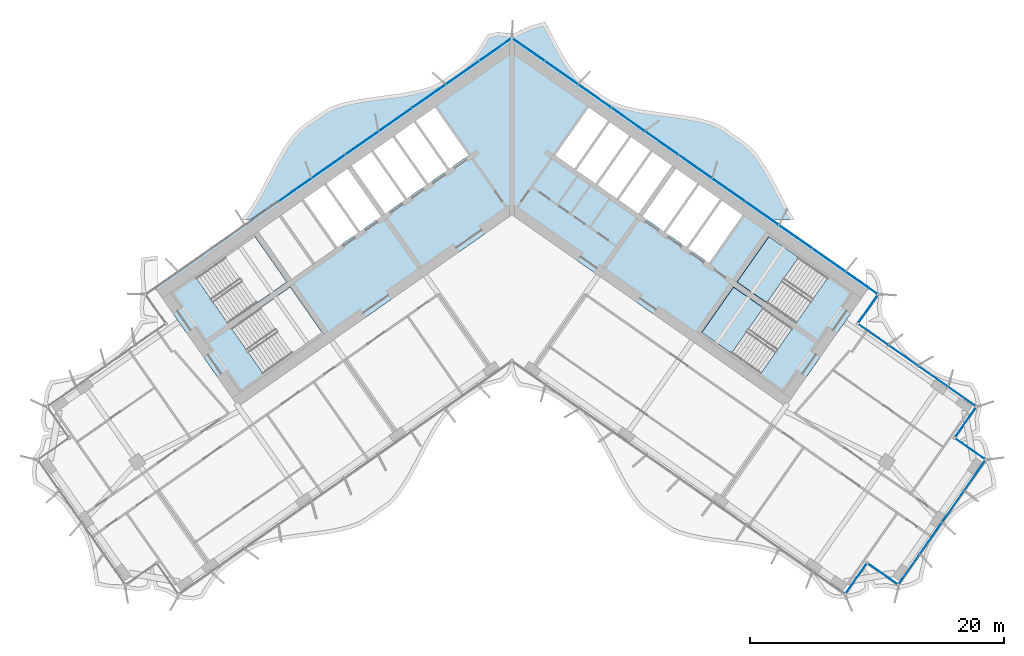
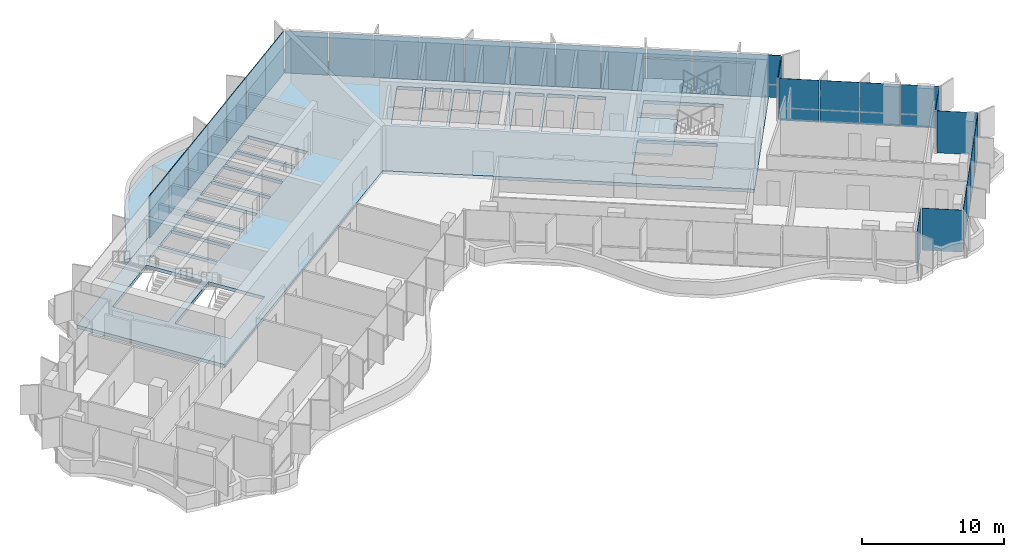
# One storey, part 13 of 23: 31 plates, 4 slabs, 4 elements without a shape of their own.
"""IFC4 building model written with IfcOpenShell, lengths in metres."""

from ifc_helpers import new_model, si_unit, direction, frame, origin, origin_2d, place, context, subcontext, project, spatial, polyline, rectangle, outline, extrude, material, layer, layer_set, type_object, element, aggregate, save


model = new_model("IFC4")

# Units and contexts
model_context = context("Model", 3, precision=1e-05, world=origin(), true_north=direction((0.0, 1.0)))
body_context = subcontext(model_context, "Body", "Model", "MODEL_VIEW")
ifc_project = project(units=[si_unit("LENGTHUNIT", "METRE"), si_unit("AREAUNIT", "SQUARE_METRE"), si_unit("VOLUMEUNIT", "CUBIC_METRE"), si_unit("PLANEANGLEUNIT", "RADIAN"), si_unit("MASSUNIT", "GRAM", prefix="KILO")], contexts=[model_context])

# Site, building, storey
site_placement = place(None, origin())
site = spatial("IfcSite", under=ifc_project, at=site_placement, CompositionType="ELEMENT")
building_placement = place(site_placement, origin())
building = spatial("IfcBuilding", under=site, at=building_placement, Name="Tel Ilan Convention Tower", CompositionType="ELEMENT")
storey_placement = place(building_placement, frame((0.0, 0.0, 182.699951171875)))
storey = spatial("IfcBuildingStorey", under=building, at=storey_placement, Name="L42", CompositionType="ELEMENT", Elevation=182.699951171875)

# Curtain wall, plates
ifc_material_1 = material(Name="Aluminium, bronze anodised", Category="aluminium")
curtain_wall_type_1 = type_object("IfcCurtainWallType", Name="CW4 STICK CURTAIN WALL, OFFICE TINTED GLASS", PredefinedType="NOTDEFINED", material=ifc_material_1)
curtain_wall_1_placement = place(storey_placement, origin())
curtain_wall_1 = element("IfcCurtainWall", 1, at=curtain_wall_1_placement, inside=storey, type_object=curtain_wall_type_1, Name="Curtain wall CW4-32.02", PredefinedType="NOTDEFINED")
ifc_material_2 = material(Name="Glass, bronze tinted, two-ply", Category="glass")
ifc_layer_1 = layer(ifc_material_2, 0.028076171875)
ifc_layer_set_1 = layer_set([ifc_layer_1], Name="CW GLASS PANEL 28")
plate_type_1 = type_object("IfcPlateType", Name="CW GLASS PANEL 28", PredefinedType="CURTAIN_PANEL", material=ifc_layer_set_1)
plate_1_placement = place(storey_placement, frame((27.065673828125, -29.863525390625, 0.0), z_axis=(0.0, 0.0, 1.0), x_axis=(0.573576436351, 0.819152044289, 0.0)))
plate_1 = element("IfcPlate", 2, at=plate_1_placement, type_object=plate_type_1, Name="Glass panel", PredefinedType="CURTAIN_PANEL", context=body_context, shape_type="SweptSolid", body=[
    extrude(rectangle(XDim=2.875, YDim=0.028076171875, at=origin_2d()), origin(), (0.0, 0.0, 1.0), 3.6201171875),
])
plate_2_placement = place(storey_placement, frame((29.20849609375, -29.48583984375, 0.0), z_axis=(0.0, 0.0, 1.0), x_axis=(0.819152044289, -0.573576436351, 0.0)))
plate_2 = element("IfcPlate", 3, at=plate_2_placement, type_object=plate_type_1, Name="Glass panel", PredefinedType="CURTAIN_PANEL", context=body_context, shape_type="SweptSolid", body=[
    extrude(rectangle(XDim=2.875, YDim=0.028076171875, at=origin_2d()), origin(), (0.0, 0.0, 1.0), 3.6201171875),
])
plate_3_placement = place(storey_placement, frame((31.25, -29.1181640625, 0.0), z_axis=(0.0, 0.0, 1.0), x_axis=(0.573576436351, 0.819152044289, 0.0)))
plate_3 = element("IfcPlate", 4, at=plate_3_placement, type_object=plate_type_1, Name="Glass panel", PredefinedType="CURTAIN_PANEL", context=body_context, shape_type="SweptSolid", body=[
    extrude(rectangle(XDim=2.89599609375, YDim=0.028076171875, at=origin_2d()), origin(), (0.0, 0.0, 1.0), 3.6201171875),
])
plate_4_placement = place(storey_placement, frame((32.972412109375, -26.658203125, 0.0), z_axis=(0.0, 0.0, 1.0), x_axis=(0.573576436351, 0.819152044289, 0.0)))
plate_4 = element("IfcPlate", 5, at=plate_4_placement, type_object=plate_type_1, Name="Glass panel", PredefinedType="CURTAIN_PANEL", context=body_context, shape_type="SweptSolid", body=[
    extrude(rectangle(XDim=2.989990234375, YDim=0.028076171875, at=origin_2d()), origin(), (0.0, 0.0, 1.0), 3.6201171875),
])
plate_5_placement = place(storey_placement, frame((34.721923828125, -24.159912109375, 0.0), z_axis=(0.0, 0.0, 1.0), x_axis=(0.573576436351, 0.819152044289, 0.0)))
plate_5 = element("IfcPlate", 6, at=plate_5_placement, type_object=plate_type_1, Name="Glass panel", PredefinedType="CURTAIN_PANEL", context=body_context, shape_type="SweptSolid", body=[
    extrude(rectangle(XDim=2.989990234375, YDim=0.028076171875, at=origin_2d()), origin(), (0.0, 0.0, 1.0), 3.6201171875),
])
plate_6_placement = place(storey_placement, frame((36.4443359375, -21.699951171875, 0.0), z_axis=(0.0, 0.0, 1.0), x_axis=(0.573576436351, 0.819152044289, 0.0)))
plate_6 = element("IfcPlate", 7, at=plate_6_placement, type_object=plate_type_1, Name="Glass panel", PredefinedType="CURTAIN_PANEL", context=body_context, shape_type="SweptSolid", body=[
    extrude(rectangle(XDim=2.89599609375, YDim=0.028076171875, at=origin_2d()), origin(), (0.0, 0.0, 1.0), 3.6201171875),
])
plate_7_placement = place(storey_placement, frame((36.09130859375, -19.656005859375, 0.0), z_axis=(0.0, 0.0, 1.0), x_axis=(-0.819152044289, 0.573576436351, 0.0)))
plate_7 = element("IfcPlate", 8, at=plate_7_placement, type_object=plate_type_1, Name="Glass panel", PredefinedType="CURTAIN_PANEL", context=body_context, shape_type="SweptSolid", body=[
    extrude(rectangle(XDim=2.875, YDim=0.028076171875, at=origin_2d()), origin(), (0.0, 0.0, 1.0), 3.6201171875),
])
plate_8_placement = place(storey_placement, frame((35.713623046875, -17.51318359375, 0.0), z_axis=(0.0, 0.0, 1.0), x_axis=(0.573576436351, 0.819152044289, 0.0)))
plate_8 = element("IfcPlate", 9, at=plate_8_placement, type_object=plate_type_1, Name="Glass panel", PredefinedType="CURTAIN_PANEL", context=body_context, shape_type="SweptSolid", body=[
    extrude(rectangle(XDim=2.875, YDim=0.028076171875, at=origin_2d()), origin(), (0.0, 0.0, 1.0), 3.6201171875),
])
plate_9_placement = place(storey_placement, frame((35.427978515625, -15.529052734375, 0.0), z_axis=(0.0, 0.0, 1.0), x_axis=(-0.819152044289, 0.573576436351, 0.0)))
plate_9 = element("IfcPlate", 10, at=plate_9_placement, type_object=plate_type_1, Name="Glass panel", PredefinedType="CURTAIN_PANEL", context=body_context, shape_type="SweptSolid", body=[
    extrude(rectangle(XDim=2.696044921875, YDim=0.028076171875, at=origin_2d()), origin(), (0.0, 0.0, 1.0), 3.6201171875),
])
plate_10_placement = place(storey_placement, frame((33.1318359375, -13.92138671875, 0.0), z_axis=(0.0, 0.0, 1.0), x_axis=(-0.819152044289, 0.573576436351, 0.0)))
plate_10 = element("IfcPlate", 11, at=plate_10_placement, type_object=plate_type_1, Name="Glass panel", PredefinedType="CURTAIN_PANEL", context=body_context, shape_type="SweptSolid", body=[
    extrude(rectangle(XDim=2.7900390625, YDim=0.028076171875, at=origin_2d()), origin(), (0.0, 0.0, 1.0), 3.6201171875),
])
plate_11_placement = place(storey_placement, frame((30.79736328125, -12.28662109375, 0.0), z_axis=(0.0, 0.0, 1.0), x_axis=(-0.819152044289, 0.573576436351, 0.0)))
plate_11 = element("IfcPlate", 12, at=plate_11_placement, type_object=plate_type_1, Name="Glass panel", PredefinedType="CURTAIN_PANEL", context=body_context, shape_type="SweptSolid", body=[
    extrude(rectangle(XDim=2.7900390625, YDim=0.028076171875, at=origin_2d()), origin(), (0.0, 0.0, 1.0), 3.6201171875),
])
plate_12_placement = place(storey_placement, frame((28.450927734375, -10.6435546875, 0.0), z_axis=(0.0, 0.0, 1.0), x_axis=(-0.819152044289, 0.573576436351, 0.0)))
plate_12 = element("IfcPlate", 13, at=plate_12_placement, type_object=plate_type_1, Name="Glass panel", PredefinedType="CURTAIN_PANEL", context=body_context, shape_type="SweptSolid", body=[
    extrude(rectangle(XDim=2.819091796875, YDim=0.028076171875, at=origin_2d()), origin(), (0.0, 0.0, 1.0), 3.6201171875),
])
aggregate(curtain_wall_1, [plate_1, plate_2, plate_3, plate_4, plate_5, plate_6, plate_7, plate_8, plate_9, plate_10, plate_11, plate_12])

ifc_material_3 = material(Name="Aluminium, bronze anodised", Category="aluminium")
curtain_wall_type_2 = type_object("IfcCurtainWallType", Name="CW2 STICK CURTAIN WALL, SPANDREL PANELS", PredefinedType="NOTDEFINED", material=ifc_material_3)
curtain_wall_2_placement = place(storey_placement, origin())
curtain_wall_2 = element("IfcCurtainWall", 14, at=curtain_wall_2_placement, inside=storey, type_object=curtain_wall_type_2, Name="Curtain wall CW2-32.01", PredefinedType="NOTDEFINED")
ifc_material_4 = material(Name="Aluminium composite panel, bronze anodised", Category="aluminium")
ifc_layer_2 = layer(ifc_material_4, 0.06005859375)
ifc_layer_set_2 = layer_set([ifc_layer_2], Name="CW SPANDREL PANEL 60")
plate_type_2 = type_object("IfcPlateType", Name="CW SPANDREL PANEL 60", PredefinedType="CURTAIN_PANEL", material=ifc_layer_set_2)
plate_13_placement = place(storey_placement, frame((28.033935546875, -8.60546875, 0.0), z_axis=(0.0, 0.0, 1.0), x_axis=(0.573576436351, 0.819152044289, 0.0)))
plate_13 = element("IfcPlate", 15, at=plate_13_placement, type_object=plate_type_2, Name="Spandrel panel", PredefinedType="CURTAIN_PANEL", context=body_context, shape_type="SweptSolid", body=[
    extrude(rectangle(XDim=2.658935546875, YDim=0.06005859375, at=origin_2d()), origin(), (0.0, 0.0, 1.0), 3.6201171875),
])
plate_14_placement = place(storey_placement, frame((27.5400390625, -6.587646484375, 0.0), z_axis=(0.0, 0.0, 1.0), x_axis=(-0.819152044289, 0.573576436351, 0.0)))
plate_14 = element("IfcPlate", 16, at=plate_14_placement, type_object=plate_type_2, Name="Spandrel panel", PredefinedType="CURTAIN_PANEL", context=body_context, shape_type="SweptSolid", body=[
    extrude(rectangle(XDim=3.0439453125, YDim=0.06005859375, at=origin_2d()), origin(), (0.0, 0.0, 1.0), 3.6201171875),
])
plate_15_placement = place(storey_placement, frame((24.95263671875, -4.77587890625, 0.0), z_axis=(0.0, 0.0, 1.0), x_axis=(-0.819152044289, 0.573576436351, 0.0)))
plate_15 = element("IfcPlate", 17, at=plate_15_placement, type_object=plate_type_2, Name="Spandrel panel", PredefinedType="CURTAIN_PANEL", context=body_context, shape_type="SweptSolid", body=[
    extrude(rectangle(XDim=3.15380859375, YDim=0.06005859375, at=origin_2d()), origin(), (0.0, 0.0, 1.0), 3.6201171875),
])
plate_16_placement = place(storey_placement, frame((22.31982421875, -2.9326171875, 0.0), z_axis=(0.0, 0.0, 1.0), x_axis=(-0.819152044289, 0.573576436351, 0.0)))
plate_16 = element("IfcPlate", 18, at=plate_16_placement, type_object=plate_type_2, Name="Spandrel panel", PredefinedType="CURTAIN_PANEL", context=body_context, shape_type="SweptSolid", body=[
    extrude(rectangle(XDim=3.15380859375, YDim=0.06005859375, at=origin_2d()), origin(), (0.0, 0.0, 1.0), 3.6201171875),
])
plate_17_placement = place(storey_placement, frame((19.687255859375, -1.089111328125, 0.0), z_axis=(0.0, 0.0, 1.0), x_axis=(-0.819152044289, 0.573576436351, 0.0)))
plate_17 = element("IfcPlate", 19, at=plate_17_placement, type_object=plate_type_2, Name="Spandrel panel", PredefinedType="CURTAIN_PANEL", context=body_context, shape_type="SweptSolid", body=[
    extrude(rectangle(XDim=3.15380859375, YDim=0.06005859375, at=origin_2d()), origin(), (0.0, 0.0, 1.0), 3.6201171875),
])
plate_18_placement = place(storey_placement, frame((17.0546875, 0.754150390625, 0.0), z_axis=(0.0, 0.0, 1.0), x_axis=(-0.819152044289, 0.573576436351, 0.0)))
plate_18 = element("IfcPlate", 20, at=plate_18_placement, type_object=plate_type_2, Name="Spandrel panel", PredefinedType="CURTAIN_PANEL", context=body_context, shape_type="SweptSolid", body=[
    extrude(rectangle(XDim=3.15380859375, YDim=0.06005859375, at=origin_2d()), origin(), (0.0, 0.0, 1.0), 3.6201171875),
])
plate_19_placement = place(storey_placement, frame((14.422119140625, 2.59765625, 0.0), z_axis=(0.0, 0.0, 1.0), x_axis=(-0.819152044289, 0.573576436351, 0.0)))
plate_19 = element("IfcPlate", 21, at=plate_19_placement, type_object=plate_type_2, Name="Spandrel panel", PredefinedType="CURTAIN_PANEL", context=body_context, shape_type="SweptSolid", body=[
    extrude(rectangle(XDim=3.15380859375, YDim=0.06005859375, at=origin_2d()), origin(), (0.0, 0.0, 1.0), 3.6201171875),
])
plate_20_placement = place(storey_placement, frame((11.789306640625, 4.44091796875, 0.0), z_axis=(0.0, 0.0, 1.0), x_axis=(-0.819152044289, 0.573576436351, 0.0)))
plate_20 = element("IfcPlate", 22, at=plate_20_placement, type_object=plate_type_2, Name="Spandrel panel", PredefinedType="CURTAIN_PANEL", context=body_context, shape_type="SweptSolid", body=[
    extrude(rectangle(XDim=3.15380859375, YDim=0.06005859375, at=origin_2d()), origin(), (0.0, 0.0, 1.0), 3.6201171875),
])
plate_21_placement = place(storey_placement, frame((9.15673828125, 6.284423828125, 0.0), z_axis=(0.0, 0.0, 1.0), x_axis=(-0.819152044289, 0.573576436351, 0.0)))
plate_21 = element("IfcPlate", 23, at=plate_21_placement, type_object=plate_type_2, Name="Spandrel panel", PredefinedType="CURTAIN_PANEL", context=body_context, shape_type="SweptSolid", body=[
    extrude(rectangle(XDim=3.15380859375, YDim=0.06005859375, at=origin_2d()), origin(), (0.0, 0.0, 1.0), 3.6201171875),
])
plate_22_placement = place(storey_placement, frame((6.524169921875, 8.127685546875, 0.0), z_axis=(0.0, 0.0, 1.0), x_axis=(-0.819152044289, 0.573576436351, 0.0)))
plate_22 = element("IfcPlate", 24, at=plate_22_placement, type_object=plate_type_2, Name="Spandrel panel", PredefinedType="CURTAIN_PANEL", context=body_context, shape_type="SweptSolid", body=[
    extrude(rectangle(XDim=3.15380859375, YDim=0.06005859375, at=origin_2d()), origin(), (0.0, 0.0, 1.0), 3.6201171875),
])
plate_23_placement = place(storey_placement, frame((3.8916015625, 9.97119140625, 0.0), z_axis=(0.0, 0.0, 1.0), x_axis=(-0.819152044289, 0.573576436351, 0.0)))
plate_23 = element("IfcPlate", 25, at=plate_23_placement, type_object=plate_type_2, Name="Spandrel panel", PredefinedType="CURTAIN_PANEL", context=body_context, shape_type="SweptSolid", body=[
    extrude(rectangle(XDim=3.15380859375, YDim=0.06005859375, at=origin_2d()), origin(), (0.0, 0.0, 1.0), 3.6201171875),
])
plate_24_placement = place(storey_placement, frame((1.303955078125, 11.782958984375, 0.0), z_axis=(0.0, 0.0, 1.0), x_axis=(-0.819152044289, 0.573576436351, 0.0)))
plate_24 = element("IfcPlate", 26, at=plate_24_placement, type_object=plate_type_2, Name="Spandrel panel", PredefinedType="CURTAIN_PANEL", context=body_context, shape_type="SweptSolid", body=[
    extrude(rectangle(XDim=3.0439453125, YDim=0.06005859375, at=origin_2d()), origin(), (0.0, 0.0, 1.0), 3.6201171875),
])
plate_25_placement = place(storey_placement, frame((-1.303955078125, 11.782958984375, 0.0), z_axis=(0.0, 0.0, 1.0), x_axis=(-0.819152044289, -0.573576436351, 0.0)))
plate_25 = element("IfcPlate", 27, at=plate_25_placement, type_object=plate_type_2, Name="Spandrel panel", PredefinedType="CURTAIN_PANEL", context=body_context, shape_type="SweptSolid", body=[
    extrude(rectangle(XDim=3.0439453125, YDim=0.06005859375, at=origin_2d()), origin(), (0.0, 0.0, 1.0), 3.6201171875),
])
plate_26_placement = place(storey_placement, frame((-3.8916015625, 9.97119140625, 0.0), z_axis=(0.0, 0.0, 1.0), x_axis=(-0.819152044289, -0.573576436351, 0.0)))
plate_26 = element("IfcPlate", 28, at=plate_26_placement, type_object=plate_type_2, Name="Spandrel panel", PredefinedType="CURTAIN_PANEL", context=body_context, shape_type="SweptSolid", body=[
    extrude(rectangle(XDim=3.15380859375, YDim=0.06005859375, at=origin_2d()), origin(), (0.0, 0.0, 1.0), 3.6201171875),
])
plate_27_placement = place(storey_placement, frame((-6.524169921875, 8.127685546875, 0.0), z_axis=(0.0, 0.0, 1.0), x_axis=(-0.819152044289, -0.573576436351, 0.0)))
plate_27 = element("IfcPlate", 29, at=plate_27_placement, type_object=plate_type_2, Name="Spandrel panel", PredefinedType="CURTAIN_PANEL", context=body_context, shape_type="SweptSolid", body=[
    extrude(rectangle(XDim=3.15380859375, YDim=0.06005859375, at=origin_2d()), origin(), (0.0, 0.0, 1.0), 3.6201171875),
])
plate_28_placement = place(storey_placement, frame((-9.15673828125, 6.284423828125, 0.0), z_axis=(0.0, 0.0, 1.0), x_axis=(-0.819152044289, -0.573576436351, 0.0)))
plate_28 = element("IfcPlate", 30, at=plate_28_placement, type_object=plate_type_2, Name="Spandrel panel", PredefinedType="CURTAIN_PANEL", context=body_context, shape_type="SweptSolid", body=[
    extrude(rectangle(XDim=3.15380859375, YDim=0.06005859375, at=origin_2d()), origin(), (0.0, 0.0, 1.0), 3.6201171875),
])
plate_29_placement = place(storey_placement, frame((-11.789306640625, 4.44091796875, 0.0), z_axis=(0.0, 0.0, 1.0), x_axis=(-0.819152044289, -0.573576436351, 0.0)))
plate_29 = element("IfcPlate", 31, at=plate_29_placement, type_object=plate_type_2, Name="Spandrel panel", PredefinedType="CURTAIN_PANEL", context=body_context, shape_type="SweptSolid", body=[
    extrude(rectangle(XDim=3.15380859375, YDim=0.06005859375, at=origin_2d()), origin(), (0.0, 0.0, 1.0), 3.6201171875),
])
plate_30_placement = place(storey_placement, frame((-14.422119140625, 2.59765625, 0.0), z_axis=(0.0, 0.0, 1.0), x_axis=(-0.819152044289, -0.573576436351, 0.0)))
plate_30 = element("IfcPlate", 32, at=plate_30_placement, type_object=plate_type_2, Name="Spandrel panel", PredefinedType="CURTAIN_PANEL", context=body_context, shape_type="SweptSolid", body=[
    extrude(rectangle(XDim=3.15380859375, YDim=0.06005859375, at=origin_2d()), origin(), (0.0, 0.0, 1.0), 3.6201171875),
])
plate_31_placement = place(storey_placement, frame((-17.0546875, 0.754150390625, 0.0), z_axis=(0.0, 0.0, 1.0), x_axis=(-0.819152044289, -0.573576436351, 0.0)))
plate_31 = element("IfcPlate", 33, at=plate_31_placement, type_object=plate_type_2, Name="Spandrel panel", PredefinedType="CURTAIN_PANEL", context=body_context, shape_type="SweptSolid", body=[
    extrude(rectangle(XDim=3.15380859375, YDim=0.06005859375, at=origin_2d()), origin(), (0.0, 0.0, 1.0), 3.6201171875),
])
aggregate(curtain_wall_2, [plate_13, plate_14, plate_15, plate_16, plate_17, plate_18, plate_19, plate_20, plate_21, plate_22, plate_23, plate_24, plate_25, plate_26, plate_27, plate_28, plate_29, plate_30, plate_31])

# Stair, slab
ifc_material_5 = material(Name="Concrete C40/50", Category="concrete")
stair_type = type_object("IfcStairType", Name="Pressurised Exit Stair 22 risers 177 mm", PredefinedType="HALF_TURN_STAIR", material=ifc_material_5)
stair_1_placement = place(storey_placement, origin())
stair_1 = element("IfcStair", 34, at=stair_1_placement, inside=storey, type_object=stair_type, Name="L42 Pressurised Stair S3", PredefinedType="HALF_TURN_STAIR")
ifc_material_6 = material(Name="Concrete C40/50", Category="concrete")
ifc_layer_3 = layer(ifc_material_6, 0.199951171875)
ifc_layer_set_3 = layer_set([ifc_layer_3], Name="Concrete Stair Landing 200 mm C40/50")
slab_type_1 = type_object("IfcSlabType", Name="Concrete Stair Landing 200 mm", PredefinedType="LANDING", material=ifc_layer_set_3)
slab_1_placement = place(storey_placement, frame((0.0, 0.0, 1.75)))
slab_1 = element("IfcSlab", 35, at=slab_1_placement, type_object=slab_type_1, Name="S3 landing 1", PredefinedType="LANDING", context=body_context, shape_type="SweptSolid", body=[
    extrude(outline(polyline([(22.561767578125, -4.566650390625), (20.226318359375, -2.931640625), (17.7314453125, -6.494873046875), (20.066650390625, -8.130126953125), (22.561767578125, -4.566650390625)])), origin(), (0.0, 0.0, 1.0), 0.199951171875),
])
aggregate(stair_1, [slab_1])

stair_2_placement = place(storey_placement, origin())
stair_2 = element("IfcStair", 36, at=stair_2_placement, inside=storey, type_object=stair_type, Name="L42 Pressurised Stair S4", PredefinedType="HALF_TURN_STAIR")
slab_2_placement = place(storey_placement, frame((0.0, 0.0, 1.75)))
slab_2 = element("IfcSlab", 37, at=slab_2_placement, type_object=slab_type_1, Name="S4 landing 1", PredefinedType="LANDING", context=body_context, shape_type="SweptSolid", body=[
    extrude(outline(polyline([(19.77978515625, -8.53955078125), (17.444580078125, -6.904541015625), (14.949462890625, -10.4677734375), (17.28466796875, -12.10302734375), (19.77978515625, -8.53955078125)])), origin(), (0.0, 0.0, 1.0), 0.199951171875),
])
aggregate(stair_2, [slab_2])

# Slabs
ifc_material_7 = material(Name="Concrete C40/50", Category="concrete")
ifc_layer_4 = layer(ifc_material_7, 0.280029296875)
ifc_layer_set_4 = layer_set([ifc_layer_4], Name="Core Floor Slab 280 mm C40/50")
slab_type_2 = type_object("IfcSlabType", Name="Core Floor Slab 280 mm C40/50", PredefinedType="FLOOR", material=ifc_layer_set_4)
slab_3_placement = place(storey_placement, frame((0.0, 0.0, -0.280029296875)))
element("IfcSlab", 38, at=slab_3_placement, inside=storey, type_object=slab_type_2, Name="L42 core floor 1", PredefinedType="FLOOR", context=body_context, shape_type="SweptSolid", body=[
    extrude(outline(polyline([(-28.1396484375, -6.885498046875), (0.0, 12.818115234375), (28.1396484375, -6.885498046875), (21.54345703125, -16.3056640625), (0.0, -1.220703125), (-21.54345703125, -16.3056640625), (-28.1396484375, -6.885498046875)]), holes=[polyline([(-14.949462890625, -10.4677734375), (-17.444580078125, -6.904541015625), (-22.072021484375, -10.144775390625), (-19.5771484375, -13.7080078125), (-14.949462890625, -10.4677734375)]), polyline([(-17.7314453125, -6.494873046875), (-20.226318359375, -2.931640625), (-24.85400390625, -6.171875), (-22.35888671875, -9.735107421875), (-17.7314453125, -6.494873046875)]), polyline([(-18.313720703125, -1.34814453125), (-19.972412109375, -2.509521484375), (-17.333984375, -6.277587890625), (-15.67529296875, -5.1162109375), (-18.313720703125, -1.34814453125)]), polyline([(-16.531982421875, -0.1005859375), (-18.14990234375, -1.2333984375), (-15.511474609375, -5.00146484375), (-13.8935546875, -3.86865234375), (-16.531982421875, -0.1005859375)]), polyline([(-14.75048828125, 1.14697265625), (-16.368408203125, 0.01416015625), (-13.729736328125, -3.75390625), (-12.112060546875, -2.62109375), (-14.75048828125, 1.14697265625)]), polyline([(-12.927734375, 2.423095703125), (-14.586669921875, 1.26171875), (-11.947998046875, -2.506591796875), (-10.289306640625, -1.344970703125), (-12.927734375, 2.423095703125)]), polyline([(-11.053955078125, 3.735107421875), (-12.60009765625, 2.652587890625), (-9.961669921875, -1.115478515625), (-8.41552734375, -0.032958984375), (-11.053955078125, 3.735107421875)]), polyline([(-6.74658203125, 1.1357421875), (-9.385009765625, 4.90380859375), (-10.89013671875, 3.849853515625), (-8.251708984375, 0.081787109375), (-6.74658203125, 1.1357421875)]), polyline([(-5.077392578125, 2.304443359375), (-7.716064453125, 6.072509765625), (-9.22119140625, 5.0185546875), (-6.582763671875, 1.25048828125), (-5.077392578125, 2.304443359375)]), polyline([(-6.046875, 7.2412109375), (-7.552001953125, 6.187255859375), (-4.913818359375, 2.419189453125), (-3.408447265625, 3.47314453125), (-6.046875, 7.2412109375)]), polyline([(17.444580078125, -6.904541015625), (14.949462890625, -10.4677734375), (19.5771484375, -13.7080078125), (22.072021484375, -10.144775390625), (17.444580078125, -6.904541015625)]), polyline([(20.226318359375, -2.931640625), (17.7314453125, -6.494873046875), (22.35888671875, -9.735107421875), (24.85400390625, -6.171875), (20.226318359375, -2.931640625)]), polyline([(13.8935546875, -3.86865234375), (15.511474609375, -5.00146484375), (18.14990234375, -1.2333984375), (16.531982421875, -0.1005859375), (13.8935546875, -3.86865234375)]), polyline([(12.112060546875, -2.62109375), (13.729736328125, -3.75390625), (16.368408203125, 0.01416015625), (14.75048828125, 1.14697265625), (12.112060546875, -2.62109375)]), polyline([(11.947998046875, -2.506591796875), (14.586669921875, 1.26171875), (12.927734375, 2.423095703125), (10.289306640625, -1.344970703125), (11.947998046875, -2.506591796875)]), polyline([(9.961669921875, -1.115478515625), (12.60009765625, 2.652587890625), (11.053955078125, 3.735107421875), (8.41552734375, -0.032958984375), (9.961669921875, -1.115478515625)]), polyline([(8.251708984375, 0.081787109375), (10.89013671875, 3.849853515625), (9.385009765625, 4.90380859375), (6.74658203125, 1.1357421875), (8.251708984375, 0.081787109375)]), polyline([(5.077392578125, 2.304443359375), (6.582763671875, 1.25048828125), (9.22119140625, 5.0185546875), (7.716064453125, 6.072509765625), (5.077392578125, 2.304443359375)]), polyline([(3.408447265625, 3.47314453125), (4.913818359375, 2.419189453125), (7.552001953125, 6.187255859375), (6.046875, 7.2412109375), (3.408447265625, 3.47314453125)])]), origin(), (0.0, 0.0, 1.0), 0.280029296875),
])
ifc_material_8 = material(Name="Concrete C40/50", Category="concrete")
ifc_layer_5 = layer(ifc_material_8, 0.280029296875)
ifc_layer_set_5 = layer_set([ifc_layer_5], Name="Edge Ledge Slab 280 mm C40/50")
slab_type_3 = type_object("IfcSlabType", Name="Edge Ledge Slab 280 mm C40/50", PredefinedType="FLOOR", material=ifc_layer_set_5)
slab_4_placement = place(storey_placement, frame((0.0, 0.0, -0.280029296875)))
element("IfcSlab", 39, at=slab_4_placement, inside=storey, type_object=slab_type_3, Name="L42 edge ledge 2", PredefinedType="FLOOR", context=body_context, shape_type="SweptSolid", body=[
    extrude(outline(polyline([(-19.60009765625, 1.004150390625), (-19.217529296875, 1.741943359375), (-18.83642578125, 2.481689453125), (-18.44677734375, 3.209228515625), (-18.0390625, 3.910888671875), (-17.604736328125, 4.574951171875), (-17.13671875, 5.190185546875), (-16.6015625, 5.71044921875), (-14.791748046875, 6.977783203125), (-14.1416015625, 7.33349609375), (-13.41064453125, 7.573486328125), (-12.644287109375, 7.76318359375), (-11.849853515625, 7.91259765625), (-11.03564453125, 8.033935546875), (-10.211181640625, 8.140380859375), (-9.385986328125, 8.24609375), (-8.570068359375, 8.36474609375), (-7.7724609375, 8.509765625), (-7.002197265625, 8.693603515625), (-6.26611328125, 8.926513671875), (-5.601806640625, 9.261962890625), (-3.7919921875, 10.529296875), (-3.2421875, 11.0283203125), (-2.769287109375, 11.63671875), (-2.3310546875, 12.294921875), (-1.919921875, 12.991943359375), (-1.14208984375, 13.1650390625), (-0.172119140625, 13.06396484375), (-0.168701171875, 13.05908203125), (-0.11474609375, 13.09521484375), (0.0, 13.1181640625), (0.11474609375, 13.09521484375), (0.168701171875, 13.05908203125), (0.172119140625, 13.06396484375), (1.4794921875, 13.647216796875), (2.6162109375, 13.986328125), (3.000244140625, 13.250732421875), (3.38134765625, 12.510986328125), (3.770263671875, 11.7822265625), (4.176513671875, 11.078369140625), (4.608642578125, 10.41162109375), (5.074462890625, 9.792724609375), (5.601806640625, 9.261962890625), (7.411865234375, 7.99462890625), (8.054931640625, 7.62890625), (8.783447265625, 7.385498046875), (9.547607421875, 7.19287109375), (10.340576171875, 7.041015625), (11.15380859375, 6.91845703125), (11.977783203125, 6.811279296875), (12.80322265625, 6.7060546875), (13.6201171875, 6.588623046875), (14.419189453125, 6.44580078125), (15.191650390625, 6.2646484375), (15.929931640625, 6.03515625), (16.6015625, 5.71044921875), (18.41162109375, 4.443115234375), (18.96826171875, 3.9541015625), (19.44384765625, 3.34912109375), (19.884033203125, 2.69384765625), (20.296142578125, 1.998291015625), (20.688720703125, 1.27490234375), (21.07080078125, 0.53662109375), (21.4521484375, -0.202880859375), (21.8427734375, -0.928955078125), (22.25341796875, -1.631591796875), (20.63623046875, -1.631591796875), (0.0, 12.818115234375), (-20.63623046875, -1.631591796875), (-21.30126953125, -1.631591796875), (-20.849609375, -1.0634765625), (-20.4072265625, -0.4111328125), (-19.993408203125, 0.281982421875), (-19.60009765625, 1.004150390625)])), origin(), (0.0, 0.0, 1.0), 0.280029296875),
])

save(model, "model.ifc")
